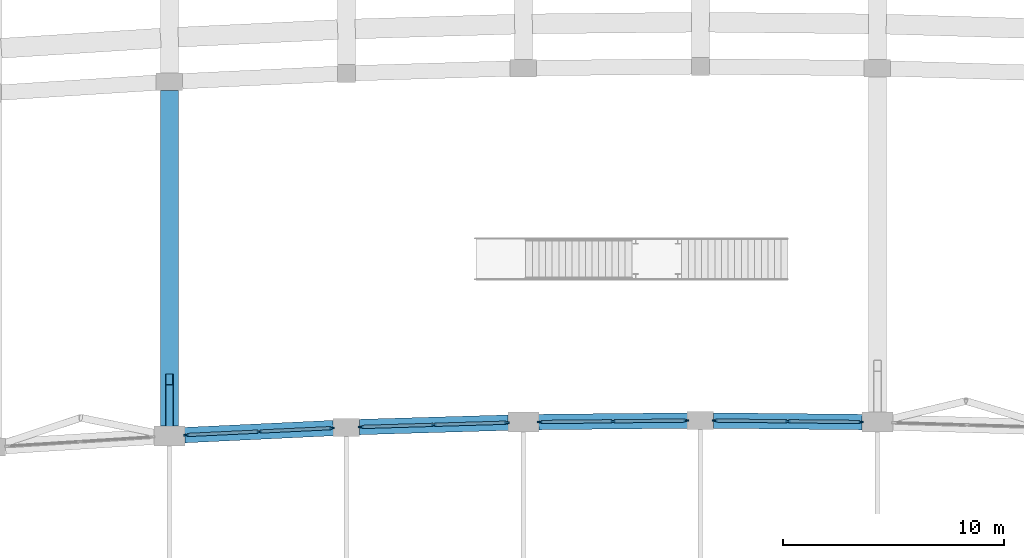
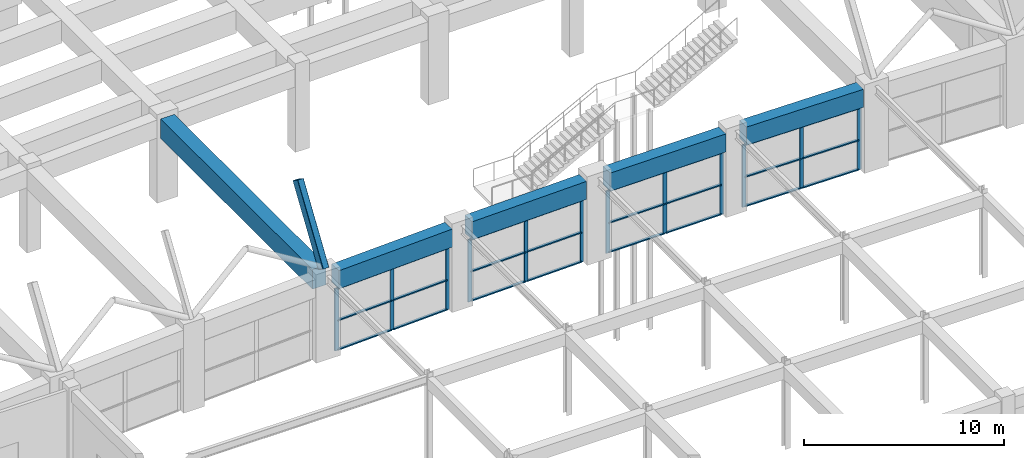
# One storey, part 24 of 69: 36 members, 6 beams, 4 elements without a shape of their own.
"""IFC4 building model written with IfcOpenShell, lengths in metres."""

from ifc_helpers import new_model, si_unit, direction, frame, origin, origin_2d, place, context, subcontext, project, spatial, rectangle, hollow_rectangle, extrude, material, material_profile, profile_set, type_object, element, aggregate, save


model = new_model("IFC4")

# Units and contexts
model_context = context("Model", 3, precision=1e-05, world=origin(), true_north=direction((0.0, 1.0)))
body_context = subcontext(model_context, "Body", "Model", "MODEL_VIEW")
ifc_project = project(units=[si_unit("LENGTHUNIT", "METRE"), si_unit("AREAUNIT", "SQUARE_METRE"), si_unit("VOLUMEUNIT", "CUBIC_METRE"), si_unit("PLANEANGLEUNIT", "RADIAN"), si_unit("MASSUNIT", "GRAM", prefix="KILO")], contexts=[model_context])

# Site, building, storey
site_placement = place(None, origin())
site = spatial("IfcSite", under=ifc_project, at=site_placement, CompositionType="ELEMENT")
building_placement = place(site_placement, origin())
building = spatial("IfcBuilding", under=site, at=building_placement, Name="Kenh Van Central Station", CompositionType="ELEMENT")
storey_placement = place(building_placement, frame((0.0, 0.0, 5.39990234375)))
storey = spatial("IfcBuildingStorey", under=building, at=storey_placement, Name="L01", CompositionType="ELEMENT", Elevation=5.39990234375)

# Beams
ifc_material_1 = material(Name="Concrete C40/50", Category="concrete")
ifc_material_profile_1 = material_profile(ifc_material_1, rectangle(XDim=0.699951171875, YDim=1.10009765625, at=origin_2d()), Name="RC 700x1100")
ifc_profile_set_1 = profile_set([ifc_material_profile_1], Name="Concrete C40/50")
beam_type_1 = type_object("IfcBeamType", Name="BM-RC-700x1100", PredefinedType="BEAM", material=ifc_profile_set_1)
beam_1_placement = place(storey_placement, frame((64.689208984375, 66.53466796875, 4.530029296875), z_axis=(0.998866413286, 0.047601348815, 0.0), x_axis=(-0.047601348815, 0.998866413286, 0.0)))
element("IfcBeam", 1, at=beam_1_placement, inside=storey, type_object=beam_type_1, Name="L01 viaduct girder 1385", PredefinedType="BEAM", context=body_context, shape_type="SweptSolid", body=[
    extrude(rectangle(XDim=0.699951171875, YDim=1.10009765625, at=origin_2d()), origin(), (0.0, 0.0, 1.0), 6.72900390625),
])
beam_2_placement = place(storey_placement, frame((72.58984375, 66.900634765625, 4.530029296875), z_axis=(0.999563065499, 0.029558046112, 0.0), x_axis=(-0.029558046112, 0.999563065499, 0.0)))
element("IfcBeam", 2, at=beam_2_placement, inside=storey, type_object=beam_type_1, Name="L01 viaduct girder 1386", PredefinedType="BEAM", context=body_context, shape_type="SweptSolid", body=[
    extrude(rectangle(XDim=0.699951171875, YDim=1.10009765625, at=origin_2d()), origin(), (0.0, 0.0, 1.0), 6.723388671875),
])
for number, where, z_axis, x_axis, name in (
    (3, (80.68994140625, 67.126708984375, 4.530029296875), (0.99994973094, 0.010026743896, 0.0), (-0.010026743896, 0.99994973094, 0.0), "L01 viaduct girder 1387"),
    (4, (88.590087890625, 67.194091796875, 4.530029296875), (0.99994973094, -0.010026743896, 0.0), (0.010026743896, 0.99994973094, 0.0), "L01 viaduct girder 1388"),
):
    element("IfcBeam", number, at=place(storey_placement, frame(where, z_axis=z_axis, x_axis=x_axis)), inside=storey, type_object=beam_type_1, Name=name, PredefinedType="BEAM", context=body_context, shape_type="SweptSolid", body=[
        extrude(rectangle(XDim=0.699951171875, YDim=1.10009765625, at=origin_2d()), origin(), (0.0, 0.0, 1.0), 6.72021484375),
    ])
ifc_material_profile_2 = material_profile(ifc_material_1, rectangle(XDim=0.800048828125, YDim=1.199951171875, at=origin_2d()), Name="RC 800x1200")
ifc_profile_set_2 = profile_set([ifc_material_profile_2], Name="Concrete C40/50")
beam_type_2 = type_object("IfcBeamType", Name="BM-TRK-800x1200", PredefinedType="BEAM", material=ifc_profile_set_2)
beam_3_placement = place(storey_placement, frame((64.0, 66.94189453125, 4.47998046875), z_axis=(0.0, 1.0, 0.0), x_axis=(-1.0, 0.0, 0.0)))
element("IfcBeam", 5, at=beam_3_placement, inside=storey, type_object=beam_type_2, Name="L01 viaduct cross-girder 1448", PredefinedType="BEAM", context=body_context, shape_type="SweptSolid", body=[
    extrude(rectangle(XDim=0.800048828125, YDim=1.199951171875, at=origin_2d()), origin(), (0.0, 0.0, 1.0), 15.169921875),
])
ifc_material_2 = material(Name="White fluoropolymer structural steel S355", Category="steel")
ifc_material_profile_3 = material_profile(ifc_material_2, hollow_rectangle(XDim=0.35009765625, YDim=0.60009765625, WallThickness=0.01611328125, InnerFilletRadius=0.01611328125, OuterFilletRadius=0.031982421875, at=origin_2d()), Name="RHS 600x350x16")
ifc_profile_set_3 = profile_set([ifc_material_profile_3], Name="White fluoropolymer structural steel S355")
beam_type_3 = type_object("IfcBeamType", Name="BM-VAULT-ARCH600", PredefinedType="BEAM", material=ifc_profile_set_3)
beam_4_placement = place(storey_placement, frame((64.0, 66.501953125, 5.280029296875), z_axis=(0.0, 0.5493771127, 0.835574525725), x_axis=(-1.0, 0.0, 0.0)))
element("IfcBeam", 6, at=beam_4_placement, inside=storey, type_object=beam_type_3, Name="Vault transverse arch 049", PredefinedType="BEAM", context=body_context, shape_type="SweptSolid", body=[
    extrude(hollow_rectangle(XDim=0.35009765625, YDim=0.60009765625, WallThickness=0.01611328125, InnerFilletRadius=0.01611328125, OuterFilletRadius=0.031982421875, at=origin_2d()), origin(), (0.0, 0.0, 1.0), 4.645751953125),
])

# Curtain wall, members
ifc_material_3 = material(Name="Champagne anodised aluminium", Category="aluminium")
curtain_wall_type = type_object("IfcCurtainWallType", Name="CW-HALL-A", PredefinedType="NOTDEFINED", material=ifc_material_3)
curtain_wall_1_placement = place(storey_placement, origin())
curtain_wall_1 = element("IfcCurtainWall", 7, at=curtain_wall_1_placement, inside=storey, type_object=curtain_wall_type, Name="L01 curtain wall 083", PredefinedType="NOTDEFINED")
ifc_material_profile_4 = material_profile(ifc_material_3, rectangle(XDim=0.080078125, YDim=0.219970703125, at=origin_2d()), Name="AL 80x220")
ifc_profile_set_4 = profile_set([ifc_material_profile_4], Name="Champagne anodised aluminium")
member_type_1 = type_object("IfcMemberType", Name="CWM-80x220", PredefinedType="MULLION", material=ifc_profile_set_4)
member_1_placement = place(storey_placement, frame((64.759765625, 66.5380859375, 0.0), z_axis=(0.0, 0.0, 1.0), x_axis=(-0.047600764745, 0.99886644112, 0.0)))
member_1 = element("IfcMember", 8, at=member_1_placement, type_object=member_type_1, Name="CW-01 mullion 1", PredefinedType="MULLION", context=body_context, shape_type="SweptSolid", body=[
    extrude(rectangle(XDim=0.080078125, YDim=0.219970703125, at=origin_2d()), origin(), (0.0, 0.0, 1.0), 3.800048828125),
])
member_2_placement = place(storey_placement, frame((68.051025390625, 66.695068359375, 0.0), z_axis=(0.0, 0.0, 1.0), x_axis=(-0.047600764745, 0.99886644112, 0.0)))
member_2 = element("IfcMember", 9, at=member_2_placement, type_object=member_type_1, Name="CW-01 mullion 2", PredefinedType="MULLION", context=body_context, shape_type="SweptSolid", body=[
    extrude(rectangle(XDim=0.080078125, YDim=0.219970703125, at=origin_2d()), origin(), (0.0, 0.0, 1.0), 3.800048828125),
])
member_3_placement = place(storey_placement, frame((71.34228515625, 66.851806640625, 0.0), z_axis=(0.0, 0.0, 1.0), x_axis=(-0.047600764745, 0.99886644112, 0.0)))
member_3 = element("IfcMember", 10, at=member_3_placement, type_object=member_type_1, Name="CW-01 mullion 3", PredefinedType="MULLION", context=body_context, shape_type="SweptSolid", body=[
    extrude(rectangle(XDim=0.080078125, YDim=0.219970703125, at=origin_2d()), origin(), (0.0, 0.0, 1.0), 3.800048828125),
])

curtain_wall_2_placement = place(storey_placement, origin())
curtain_wall_2 = element("IfcCurtainWall", 11, at=curtain_wall_2_placement, inside=storey, type_object=curtain_wall_type, Name="L01 curtain wall 085", PredefinedType="NOTDEFINED")
member_4_placement = place(storey_placement, frame((72.6513671875, 66.90234375, 0.0), z_axis=(0.0, 0.0, 1.0), x_axis=(-0.029570645876, 0.999562692832, 0.0)))
member_4 = element("IfcMember", 12, at=member_4_placement, type_object=member_type_1, Name="CW-01 mullion 1", PredefinedType="MULLION", context=body_context, shape_type="SweptSolid", body=[
    extrude(rectangle(XDim=0.080078125, YDim=0.219970703125, at=origin_2d()), origin(), (0.0, 0.0, 1.0), 3.800048828125),
])
member_5_placement = place(storey_placement, frame((75.94921875, 67.0, 0.0), z_axis=(0.0, 0.0, 1.0), x_axis=(-0.029570645876, 0.999562692832, 0.0)))
member_5 = element("IfcMember", 13, at=member_5_placement, type_object=member_type_1, Name="CW-01 mullion 2", PredefinedType="MULLION", context=body_context, shape_type="SweptSolid", body=[
    extrude(rectangle(XDim=0.080078125, YDim=0.219970703125, at=origin_2d()), origin(), (0.0, 0.0, 1.0), 3.800048828125),
])
member_6_placement = place(storey_placement, frame((79.247314453125, 67.097412109375, 0.0), z_axis=(0.0, 0.0, 1.0), x_axis=(-0.029570645876, 0.999562692832, 0.0)))
member_6 = element("IfcMember", 14, at=member_6_placement, type_object=member_type_1, Name="CW-01 mullion 3", PredefinedType="MULLION", context=body_context, shape_type="SweptSolid", body=[
    extrude(rectangle(XDim=0.080078125, YDim=0.219970703125, at=origin_2d()), origin(), (0.0, 0.0, 1.0), 3.800048828125),
])

curtain_wall_3_placement = place(storey_placement, origin())
curtain_wall_3 = element("IfcCurtainWall", 15, at=curtain_wall_3_placement, inside=storey, type_object=curtain_wall_type, Name="L01 curtain wall 087", PredefinedType="NOTDEFINED")
member_7_placement = place(storey_placement, frame((80.744384765625, 67.127197265625, 0.0), z_axis=(0.0, 0.0, 1.0), x_axis=(-0.010011901592, 0.999949879657, 0.0)))
member_7 = element("IfcMember", 16, at=member_7_placement, type_object=member_type_1, Name="CW-01 mullion 1", PredefinedType="MULLION", context=body_context, shape_type="SweptSolid", body=[
    extrude(rectangle(XDim=0.080078125, YDim=0.219970703125, at=origin_2d()), origin(), (0.0, 0.0, 1.0), 3.800048828125),
])
member_8_placement = place(storey_placement, frame((84.05029296875, 67.160400390625, 0.0), z_axis=(0.0, 0.0, 1.0), x_axis=(-0.010011901592, 0.999949879657, 0.0)))
member_8 = element("IfcMember", 17, at=member_8_placement, type_object=member_type_1, Name="CW-01 mullion 2", PredefinedType="MULLION", context=body_context, shape_type="SweptSolid", body=[
    extrude(rectangle(XDim=0.080078125, YDim=0.219970703125, at=origin_2d()), origin(), (0.0, 0.0, 1.0), 3.800048828125),
])
member_9_placement = place(storey_placement, frame((87.356201171875, 67.193603515625, 0.0), z_axis=(0.0, 0.0, 1.0), x_axis=(-0.010011901592, 0.999949879657, 0.0)))
member_9 = element("IfcMember", 18, at=member_9_placement, type_object=member_type_1, Name="CW-01 mullion 3", PredefinedType="MULLION", context=body_context, shape_type="SweptSolid", body=[
    extrude(rectangle(XDim=0.080078125, YDim=0.219970703125, at=origin_2d()), origin(), (0.0, 0.0, 1.0), 3.800048828125),
])

curtain_wall_4_placement = place(storey_placement, origin())
curtain_wall_4 = element("IfcCurtainWall", 19, at=curtain_wall_4_placement, inside=storey, type_object=curtain_wall_type, Name="L01 curtain wall 089", PredefinedType="NOTDEFINED")
member_10_placement = place(storey_placement, frame((88.643798828125, 67.193603515625, 0.0), z_axis=(0.0, 0.0, 1.0), x_axis=(0.010011901592, 0.999949879657, 0.0)))
member_10 = element("IfcMember", 20, at=member_10_placement, type_object=member_type_1, Name="CW-01 mullion 1", PredefinedType="MULLION", context=body_context, shape_type="SweptSolid", body=[
    extrude(rectangle(XDim=0.080078125, YDim=0.219970703125, at=origin_2d()), origin(), (0.0, 0.0, 1.0), 3.800048828125),
])
member_11_placement = place(storey_placement, frame((91.94970703125, 67.160400390625, 0.0), z_axis=(0.0, 0.0, 1.0), x_axis=(0.010011901592, 0.999949879657, 0.0)))
member_11 = element("IfcMember", 21, at=member_11_placement, type_object=member_type_1, Name="CW-01 mullion 2", PredefinedType="MULLION", context=body_context, shape_type="SweptSolid", body=[
    extrude(rectangle(XDim=0.080078125, YDim=0.219970703125, at=origin_2d()), origin(), (0.0, 0.0, 1.0), 3.800048828125),
])
member_12_placement = place(storey_placement, frame((95.255615234375, 67.127197265625, 0.0), z_axis=(0.0, 0.0, 1.0), x_axis=(0.010011901592, 0.999949879657, 0.0)))
member_12 = element("IfcMember", 22, at=member_12_placement, type_object=member_type_1, Name="CW-01 mullion 3", PredefinedType="MULLION", context=body_context, shape_type="SweptSolid", body=[
    extrude(rectangle(XDim=0.080078125, YDim=0.219970703125, at=origin_2d()), origin(), (0.0, 0.0, 1.0), 3.800048828125),
])

# Member
ifc_material_profile_5 = material_profile(ifc_material_3, rectangle(XDim=0.14990234375, YDim=0.070068359375, at=origin_2d()), Name="AL 150x70")
ifc_profile_set_5 = profile_set([ifc_material_profile_5], Name="Champagne anodised aluminium")
member_type_2 = type_object("IfcMemberType", Name="CWT-150x70", PredefinedType="USERDEFINED", material=ifc_profile_set_5)
member_13_placement = place(storey_placement, frame((64.7998046875, 66.5400390625, 0.03515625), z_axis=(0.998865731043, 0.047615662842, 0.0), x_axis=(-0.047615662842, 0.998865731043, 0.0)))
member_13 = element("IfcMember", 23, at=member_13_placement, type_object=member_type_2, Name="CW-01 transom 1.1", ObjectType="TRANSOM", PredefinedType="USERDEFINED", context=body_context, shape_type="SweptSolid", body=[
    extrude(rectangle(XDim=0.14990234375, YDim=0.070068359375, at=origin_2d()), origin(), (0.0, 0.0, 1.0), 3.21484375),
])

member_14_placement = place(storey_placement, frame((64.7998046875, 66.5400390625, 1.82421875), z_axis=(0.998865731043, 0.047615662842, 0.0), x_axis=(-0.047615662842, 0.998865731043, 0.0)))
member_14 = element("IfcMember", 24, at=member_14_placement, type_object=member_type_2, Name="CW-01 transom 1.2", ObjectType="TRANSOM", PredefinedType="USERDEFINED", context=body_context, shape_type="SweptSolid", body=[
    extrude(rectangle(XDim=0.14990234375, YDim=0.070068359375, at=origin_2d()), origin(), (0.0, 0.0, 1.0), 3.21484375),
])

member_15_placement = place(storey_placement, frame((64.7998046875, 66.5400390625, 3.76513671875), z_axis=(0.998865731043, 0.047615662842, 0.0), x_axis=(-0.047615662842, 0.998865731043, 0.0)))
member_15 = element("IfcMember", 25, at=member_15_placement, type_object=member_type_2, Name="CW-01 transom 1.3", ObjectType="TRANSOM", PredefinedType="USERDEFINED", context=body_context, shape_type="SweptSolid", body=[
    extrude(rectangle(XDim=0.14990234375, YDim=0.070068359375, at=origin_2d()), origin(), (0.0, 0.0, 1.0), 3.21484375),
])

member_16_placement = place(storey_placement, frame((68.091064453125, 66.69677734375, 0.03515625), z_axis=(0.998865903203, 0.047612051187, 0.0), x_axis=(-0.047612051187, 0.998865903203, 0.0)))
member_16 = element("IfcMember", 26, at=member_16_placement, type_object=member_type_2, Name="CW-01 transom 2.1", ObjectType="TRANSOM", PredefinedType="USERDEFINED", context=body_context, shape_type="SweptSolid", body=[
    extrude(rectangle(XDim=0.14990234375, YDim=0.070068359375, at=origin_2d()), origin(), (0.0, 0.0, 1.0), 3.215087890625),
])

member_17_placement = place(storey_placement, frame((68.091064453125, 66.69677734375, 1.82421875), z_axis=(0.998865903203, 0.047612051187, 0.0), x_axis=(-0.047612051187, 0.998865903203, 0.0)))
member_17 = element("IfcMember", 27, at=member_17_placement, type_object=member_type_2, Name="CW-01 transom 2.2", ObjectType="TRANSOM", PredefinedType="USERDEFINED", context=body_context, shape_type="SweptSolid", body=[
    extrude(rectangle(XDim=0.14990234375, YDim=0.070068359375, at=origin_2d()), origin(), (0.0, 0.0, 1.0), 3.215087890625),
])

member_18_placement = place(storey_placement, frame((68.091064453125, 66.69677734375, 3.76513671875), z_axis=(0.998865903203, 0.047612051187, 0.0), x_axis=(-0.047612051187, 0.998865903203, 0.0)))
member_18 = element("IfcMember", 28, at=member_18_placement, type_object=member_type_2, Name="CW-01 transom 2.3", ObjectType="TRANSOM", PredefinedType="USERDEFINED", context=body_context, shape_type="SweptSolid", body=[
    extrude(rectangle(XDim=0.14990234375, YDim=0.070068359375, at=origin_2d()), origin(), (0.0, 0.0, 1.0), 3.215087890625),
])

aggregate(curtain_wall_1, [member_1, member_2, member_3, member_13, member_14, member_15, member_16, member_17, member_18])

member_19_placement = place(storey_placement, frame((72.691162109375, 66.903564453125, 0.03515625), z_axis=(0.999562627364, 0.029572858798, 0.0), x_axis=(-0.029572858798, 0.999562627364, 0.0)))
member_19 = element("IfcMember", 29, at=member_19_placement, type_object=member_type_2, Name="CW-01 transom 1.1", ObjectType="TRANSOM", PredefinedType="USERDEFINED", context=body_context, shape_type="SweptSolid", body=[
    extrude(rectangle(XDim=0.14990234375, YDim=0.070068359375, at=origin_2d()), origin(), (0.0, 0.0, 1.0), 3.2197265625),
])

member_20_placement = place(storey_placement, frame((72.691162109375, 66.903564453125, 1.82421875), z_axis=(0.999562627364, 0.029572858798, 0.0), x_axis=(-0.029572858798, 0.999562627364, 0.0)))
member_20 = element("IfcMember", 30, at=member_20_placement, type_object=member_type_2, Name="CW-01 transom 1.2", ObjectType="TRANSOM", PredefinedType="USERDEFINED", context=body_context, shape_type="SweptSolid", body=[
    extrude(rectangle(XDim=0.14990234375, YDim=0.070068359375, at=origin_2d()), origin(), (0.0, 0.0, 1.0), 3.2197265625),
])

member_21_placement = place(storey_placement, frame((72.691162109375, 66.903564453125, 3.76513671875), z_axis=(0.999562627364, 0.029572858798, 0.0), x_axis=(-0.029572858798, 0.999562627364, 0.0)))
member_21 = element("IfcMember", 31, at=member_21_placement, type_object=member_type_2, Name="CW-01 transom 1.3", ObjectType="TRANSOM", PredefinedType="USERDEFINED", context=body_context, shape_type="SweptSolid", body=[
    extrude(rectangle(XDim=0.14990234375, YDim=0.070068359375, at=origin_2d()), origin(), (0.0, 0.0, 1.0), 3.2197265625),
])

member_22_placement = place(storey_placement, frame((75.9892578125, 67.001220703125, 0.03515625), z_axis=(0.999562561041, 0.029575100433, 0.0), x_axis=(-0.029575100433, 0.999562561041, 0.0)))
member_22 = element("IfcMember", 32, at=member_22_placement, type_object=member_type_2, Name="CW-01 transom 2.1", ObjectType="TRANSOM", PredefinedType="USERDEFINED", context=body_context, shape_type="SweptSolid", body=[
    extrude(rectangle(XDim=0.14990234375, YDim=0.070068359375, at=origin_2d()), origin(), (0.0, 0.0, 1.0), 3.219482421875),
])

member_23_placement = place(storey_placement, frame((75.9892578125, 67.001220703125, 1.82421875), z_axis=(0.999562561041, 0.029575100433, 0.0), x_axis=(-0.029575100433, 0.999562561041, 0.0)))
member_23 = element("IfcMember", 33, at=member_23_placement, type_object=member_type_2, Name="CW-01 transom 2.2", ObjectType="TRANSOM", PredefinedType="USERDEFINED", context=body_context, shape_type="SweptSolid", body=[
    extrude(rectangle(XDim=0.14990234375, YDim=0.070068359375, at=origin_2d()), origin(), (0.0, 0.0, 1.0), 3.219482421875),
])

member_24_placement = place(storey_placement, frame((75.9892578125, 67.001220703125, 3.76513671875), z_axis=(0.999562561041, 0.029575100433, 0.0), x_axis=(-0.029575100433, 0.999562561041, 0.0)))
member_24 = element("IfcMember", 34, at=member_24_placement, type_object=member_type_2, Name="CW-01 transom 2.3", ObjectType="TRANSOM", PredefinedType="USERDEFINED", context=body_context, shape_type="SweptSolid", body=[
    extrude(rectangle(XDim=0.14990234375, YDim=0.070068359375, at=origin_2d()), origin(), (0.0, 0.0, 1.0), 3.219482421875),
])

aggregate(curtain_wall_2, [member_4, member_5, member_6, member_19, member_20, member_21, member_22, member_23, member_24])

member_25_placement = place(storey_placement, frame((80.784423828125, 67.127685546875, 0.03515625), z_axis=(0.999950102075, 0.009989662717, 0.0), x_axis=(-0.009989662717, 0.999950102075, 0.0)))
member_25 = element("IfcMember", 35, at=member_25_placement, type_object=member_type_2, Name="CW-01 transom 1.1", ObjectType="TRANSOM", PredefinedType="USERDEFINED", context=body_context, shape_type="SweptSolid", body=[
    extrude(rectangle(XDim=0.14990234375, YDim=0.070068359375, at=origin_2d()), origin(), (0.0, 0.0, 1.0), 3.22607421875),
])

member_26_placement = place(storey_placement, frame((80.784423828125, 67.127685546875, 1.82421875), z_axis=(0.999950102075, 0.009989662717, 0.0), x_axis=(-0.009989662717, 0.999950102075, 0.0)))
member_26 = element("IfcMember", 36, at=member_26_placement, type_object=member_type_2, Name="CW-01 transom 1.2", ObjectType="TRANSOM", PredefinedType="USERDEFINED", context=body_context, shape_type="SweptSolid", body=[
    extrude(rectangle(XDim=0.14990234375, YDim=0.070068359375, at=origin_2d()), origin(), (0.0, 0.0, 1.0), 3.22607421875),
])

member_27_placement = place(storey_placement, frame((80.784423828125, 67.127685546875, 3.76513671875), z_axis=(0.999950102075, 0.009989662717, 0.0), x_axis=(-0.009989662717, 0.999950102075, 0.0)))
member_27 = element("IfcMember", 37, at=member_27_placement, type_object=member_type_2, Name="CW-01 transom 1.3", ObjectType="TRANSOM", PredefinedType="USERDEFINED", context=body_context, shape_type="SweptSolid", body=[
    extrude(rectangle(XDim=0.14990234375, YDim=0.070068359375, at=origin_2d()), origin(), (0.0, 0.0, 1.0), 3.22607421875),
])

member_28_placement = place(storey_placement, frame((84.09033203125, 67.160888671875, 0.03515625), z_axis=(0.999950102075, 0.009989662717, 0.0), x_axis=(-0.009989662717, 0.999950102075, 0.0)))
member_28 = element("IfcMember", 38, at=member_28_placement, type_object=member_type_2, Name="CW-01 transom 2.1", ObjectType="TRANSOM", PredefinedType="USERDEFINED", context=body_context, shape_type="SweptSolid", body=[
    extrude(rectangle(XDim=0.14990234375, YDim=0.070068359375, at=origin_2d()), origin(), (0.0, 0.0, 1.0), 3.22607421875),
])

member_29_placement = place(storey_placement, frame((84.09033203125, 67.160888671875, 1.82421875), z_axis=(0.999950102075, 0.009989662717, 0.0), x_axis=(-0.009989662717, 0.999950102075, 0.0)))
member_29 = element("IfcMember", 39, at=member_29_placement, type_object=member_type_2, Name="CW-01 transom 2.2", ObjectType="TRANSOM", PredefinedType="USERDEFINED", context=body_context, shape_type="SweptSolid", body=[
    extrude(rectangle(XDim=0.14990234375, YDim=0.070068359375, at=origin_2d()), origin(), (0.0, 0.0, 1.0), 3.22607421875),
])

member_30_placement = place(storey_placement, frame((84.09033203125, 67.160888671875, 3.76513671875), z_axis=(0.999950102075, 0.009989662717, 0.0), x_axis=(-0.009989662717, 0.999950102075, 0.0)))
member_30 = element("IfcMember", 40, at=member_30_placement, type_object=member_type_2, Name="CW-01 transom 2.3", ObjectType="TRANSOM", PredefinedType="USERDEFINED", context=body_context, shape_type="SweptSolid", body=[
    extrude(rectangle(XDim=0.14990234375, YDim=0.070068359375, at=origin_2d()), origin(), (0.0, 0.0, 1.0), 3.22607421875),
])

aggregate(curtain_wall_3, [member_7, member_8, member_9, member_25, member_26, member_27, member_28, member_29, member_30])

member_31_placement = place(storey_placement, frame((88.683837890625, 67.193115234375, 0.03515625), z_axis=(0.999950102075, -0.009989662717, 0.0), x_axis=(0.009989662717, 0.999950102075, 0.0)))
member_31 = element("IfcMember", 41, at=member_31_placement, type_object=member_type_2, Name="CW-01 transom 1.1", ObjectType="TRANSOM", PredefinedType="USERDEFINED", context=body_context, shape_type="SweptSolid", body=[
    extrude(rectangle(XDim=0.14990234375, YDim=0.070068359375, at=origin_2d()), origin(), (0.0, 0.0, 1.0), 3.22607421875),
])

member_32_placement = place(storey_placement, frame((88.683837890625, 67.193115234375, 1.82421875), z_axis=(0.999950102075, -0.009989662717, 0.0), x_axis=(0.009989662717, 0.999950102075, 0.0)))
member_32 = element("IfcMember", 42, at=member_32_placement, type_object=member_type_2, Name="CW-01 transom 1.2", ObjectType="TRANSOM", PredefinedType="USERDEFINED", context=body_context, shape_type="SweptSolid", body=[
    extrude(rectangle(XDim=0.14990234375, YDim=0.070068359375, at=origin_2d()), origin(), (0.0, 0.0, 1.0), 3.22607421875),
])

member_33_placement = place(storey_placement, frame((88.683837890625, 67.193115234375, 3.76513671875), z_axis=(0.999950102075, -0.009989662717, 0.0), x_axis=(0.009989662717, 0.999950102075, 0.0)))
member_33 = element("IfcMember", 43, at=member_33_placement, type_object=member_type_2, Name="CW-01 transom 1.3", ObjectType="TRANSOM", PredefinedType="USERDEFINED", context=body_context, shape_type="SweptSolid", body=[
    extrude(rectangle(XDim=0.14990234375, YDim=0.070068359375, at=origin_2d()), origin(), (0.0, 0.0, 1.0), 3.22607421875),
])

member_34_placement = place(storey_placement, frame((91.98974609375, 67.159912109375, 0.03515625), z_axis=(0.999950102075, -0.009989662717, 0.0), x_axis=(0.009989662717, 0.999950102075, 0.0)))
member_34 = element("IfcMember", 44, at=member_34_placement, type_object=member_type_2, Name="CW-01 transom 2.1", ObjectType="TRANSOM", PredefinedType="USERDEFINED", context=body_context, shape_type="SweptSolid", body=[
    extrude(rectangle(XDim=0.14990234375, YDim=0.070068359375, at=origin_2d()), origin(), (0.0, 0.0, 1.0), 3.22607421875),
])

member_35_placement = place(storey_placement, frame((91.98974609375, 67.159912109375, 1.82421875), z_axis=(0.999950102075, -0.009989662717, 0.0), x_axis=(0.009989662717, 0.999950102075, 0.0)))
member_35 = element("IfcMember", 45, at=member_35_placement, type_object=member_type_2, Name="CW-01 transom 2.2", ObjectType="TRANSOM", PredefinedType="USERDEFINED", context=body_context, shape_type="SweptSolid", body=[
    extrude(rectangle(XDim=0.14990234375, YDim=0.070068359375, at=origin_2d()), origin(), (0.0, 0.0, 1.0), 3.22607421875),
])

member_36_placement = place(storey_placement, frame((91.98974609375, 67.159912109375, 3.76513671875), z_axis=(0.999950102075, -0.009989662717, 0.0), x_axis=(0.009989662717, 0.999950102075, 0.0)))
member_36 = element("IfcMember", 46, at=member_36_placement, type_object=member_type_2, Name="CW-01 transom 2.3", ObjectType="TRANSOM", PredefinedType="USERDEFINED", context=body_context, shape_type="SweptSolid", body=[
    extrude(rectangle(XDim=0.14990234375, YDim=0.070068359375, at=origin_2d()), origin(), (0.0, 0.0, 1.0), 3.22607421875),
])

aggregate(curtain_wall_4, [member_10, member_11, member_12, member_31, member_32, member_33, member_34, member_35, member_36])

save(model, "model.ifc")
